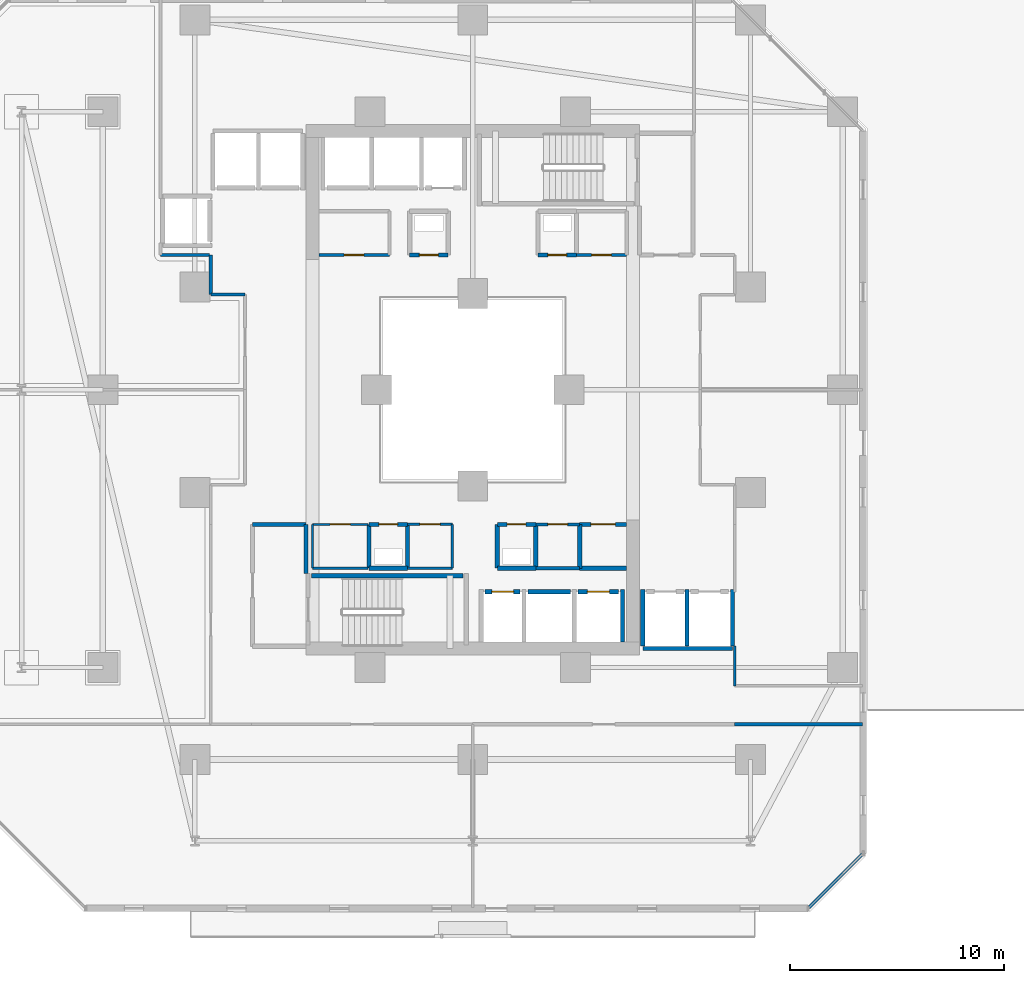
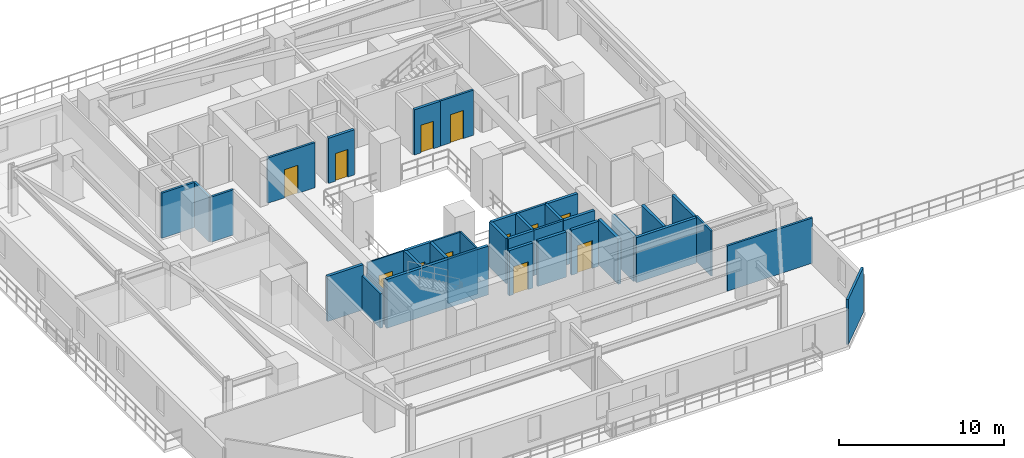
# One storey, part 19 of 34: 40 walls, 12 doors, 12 openings.
"""IFC4 building model written with IfcOpenShell, lengths in metres."""

import ifcopenshell
import ifcopenshell.guid

model = None  # the IFC model being written
_history = None  # IfcOwnerHistory: only IFC2X3 demands one
_inside = {}  # id of a spatial element -> (the spatial element, [elements in it])
_under = {}  # id of a project, library or spatial element -> (it, [spatial elements below it])
_declared = {}  # id of a project -> (the project, [libraries it declares])
_typed = {}  # id of a type object -> (the type object, [elements of that type])
_made_of = {}  # id of a material, layer set ... -> (it, [elements and type objects made of it])


def new_model(schema):
    """Start an empty IFC model of exactly this schema.

    Asked for "IFC4X3", IfcOpenShell would pick the latest addendum, in which some entities
    have other attributes; the version numbers below select the first issue.
    IFC2X3 requires an IfcOwnerHistory on every rooted entity: one is made here for all.
    """
    global model, _history
    if schema == "IFC4X3":
        model = ifcopenshell.file(schema_version=(4, 3, 0, 0))
    else:
        model = ifcopenshell.file(schema=schema)
    _inside.clear()
    _under.clear()
    _declared.clear()
    _typed.clear()
    _made_of.clear()
    _history = None
    if model.schema == "IFC2X3":
        org = make("IfcOrganization", Name="unknown")
        user = make(
            "IfcPersonAndOrganization",
            ThePerson=make("IfcPerson", FamilyName="unknown"),
            TheOrganization=org,
        )
        app = make(
            "IfcApplication",
            ApplicationDeveloper=org,
            Version="unknown",
            ApplicationFullName="unknown",
            ApplicationIdentifier="unknown",
        )
        _history = make(
            "IfcOwnerHistory",
            OwningUser=user,
            OwningApplication=app,
            ChangeAction="ADDED",
            CreationDate=0,
        )
    return model


def make(cls, **values):
    """One entity of the class cls with the attributes given. An attribute that is None is left unset."""
    return model.create_entity(
        cls, **{name: value for name, value in values.items() if value is not None}
    )


def rooted(cls, **values):
    """An entity with a GlobalId (a new one), such as an element, a storey or a relation."""
    return make(cls, GlobalId=ifcopenshell.guid.new(), OwnerHistory=_history, **values)


def si_unit(unit_type, name, prefix=None):
    """IfcSIUnit, for example si_unit("LENGTHUNIT", "METRE", prefix="MILLI")."""
    return make("IfcSIUnit", UnitType=unit_type, Prefix=prefix, Name=name)


def assignment(units):
    """IfcUnitAssignment: the units of a project."""
    return None if units is None else make("IfcUnitAssignment", Units=units)


def point(xyz):
    """IfcCartesianPoint."""
    return None if xyz is None else make("IfcCartesianPoint", Coordinates=xyz)


def direction(xyz):
    """IfcDirection."""
    return None if xyz is None else make("IfcDirection", DirectionRatios=xyz)


def frame(location, z_axis=None, x_axis=None):
    """IfcAxis2Placement3D, a coordinate frame: its origin and axes. An axis left out is left unset."""
    return make(
        "IfcAxis2Placement3D",
        Location=point(location),
        Axis=direction(z_axis),
        RefDirection=direction(x_axis),
    )


def frame_2d(location, x_axis=None):
    """IfcAxis2Placement2D, a coordinate frame in the plane: its origin and x axis."""
    return make(
        "IfcAxis2Placement2D", Location=point(location), RefDirection=direction(x_axis)
    )


def origin():
    """The frame at (0, 0, 0) with its axes left unset."""
    return frame((0.0, 0.0, 0.0))


def place(relative_to, where):
    """IfcLocalPlacement: puts the frame where relative to a parent placement (None: the world)."""
    return make(
        "IfcLocalPlacement", PlacementRelTo=relative_to, RelativePlacement=where
    )


def context(
    kind, dimensions, precision=None, world=None, true_north=None, identifier=None
):
    """IfcGeometricRepresentationContext, for example the 3D "Model" context."""
    return make(
        "IfcGeometricRepresentationContext",
        ContextIdentifier=identifier,
        ContextType=kind,
        CoordinateSpaceDimension=dimensions,
        Precision=precision,
        WorldCoordinateSystem=world,
        TrueNorth=true_north,
    )


def subcontext(parent, identifier, kind, view, scale=None):
    """IfcGeometricRepresentationSubContext, for example "Body" below "Model"."""
    return make(
        "IfcGeometricRepresentationSubContext",
        ContextIdentifier=identifier,
        ContextType=kind,
        ParentContext=parent,
        TargetScale=scale,
        TargetView=view,
    )


def project(units=None, contexts=None):
    """IfcProject with its units and contexts."""
    return rooted(
        "IfcProject",
        Name="project",
        RepresentationContexts=contexts,
        UnitsInContext=assignment(units),
    )


def spatial(cls, under=None, at=None, **own):
    """A site, building, storey or space (cls), placed at a placement, below another one or the project."""
    s = rooted(cls, ObjectPlacement=at, **own)
    if under is not None:
        _under.setdefault(under.id(), (under, []))[1].append(s)
    return s


def profile(cls, at=None, kind="AREA", **sizes):
    """A parametric profile (cls). Its sizes go by their IFC names, for example OverallWidth=200.0."""
    return make(cls, ProfileType=kind, Position=at, **sizes)


def rectangle(**sizes):
    """IfcRectangleProfileDef."""
    return profile("IfcRectangleProfileDef", **sizes)


def extrude(swept, where, along, depth):
    """IfcExtrudedAreaSolid: the profile swept, set in the frame where, extruded along a direction by depth."""
    return make(
        "IfcExtrudedAreaSolid",
        SweptArea=swept,
        Position=where,
        ExtrudedDirection=direction(along),
        Depth=depth,
    )


def shape(context_of_items, identifier, shape_type, items):
    """IfcShapeRepresentation: the items that make up one representation, for example the "Body"."""
    return make(
        "IfcShapeRepresentation",
        ContextOfItems=context_of_items,
        RepresentationIdentifier=identifier,
        RepresentationType=shape_type,
        Items=items,
    )


def material(Name=None, Category=None):
    """IfcMaterial."""
    return make("IfcMaterial", Name=Name, Category=Category)


def layer(
    of_material, thickness, ventilated=None, Name=None, Category=None, Priority=None
):
    """IfcMaterialLayer: one layer of a wall or slab, of a material (None: an air gap)."""
    return make(
        "IfcMaterialLayer",
        Material=of_material,
        LayerThickness=thickness,
        IsVentilated=ventilated,
        Name=Name,
        Category=Category,
        Priority=Priority,
    )


def layer_set(layers, Name=None):
    """IfcMaterialLayerSet."""
    return make("IfcMaterialLayerSet", MaterialLayers=layers, LayerSetName=Name)


def made_of(thing, what):
    """Note that an element or type object is made of a material, layer set ...; save() writes the relation."""
    if what is not None:
        _made_of.setdefault(what.id(), (what, []))[1].append(thing)
    return thing


def type_object(cls, material=None, **own):
    """A type object (cls), such as IfcWallType, which elements share."""
    return made_of(rooted(cls, **own), material)


def element(
    cls,
    number,
    at=None,
    inside=None,
    cuts=None,
    type_object=None,
    material=None,
    context=None,
    identifier="Body",
    shape_type=None,
    held_by="IfcProductDefinitionShape",
    body=None,
    shapes=None,
    **own,
):
    """One element of the class cls, such as IfcWall. Its Tag is "e" and its number.

    at: its placement. inside: the storey or other place that contains it. cuts: it is an
    opening in that element (IfcRelVoidsElement). A single representation is given by context,
    identifier, shape_type and body (its items); several are given by shapes. held_by: the class
    of the entity that holds the representations. save() writes the other relations.
    """
    e = rooted(cls, Tag="e%d" % number, ObjectPlacement=at, **own)
    if body is not None:
        shapes = [shape(context, identifier, shape_type, body)]
    if shapes is not None:
        e.Representation = make(held_by, Representations=shapes)
    if inside is not None:
        _inside.setdefault(inside.id(), (inside, []))[1].append(e)
    if cuts is not None:
        rooted(
            "IfcRelVoidsElement", RelatingBuildingElement=cuts, RelatedOpeningElement=e
        )
    if type_object is not None:
        _typed.setdefault(type_object.id(), (type_object, []))[1].append(e)
    return made_of(e, material)


def fill(opening, filler):
    """IfcRelFillsElement: the door or window that sits in an opening."""
    return rooted(
        "IfcRelFillsElement",
        RelatingOpeningElement=opening,
        RelatedBuildingElement=filler,
    )


def aggregate(whole, parts):
    """IfcRelAggregates: a whole, such as a stair, and the parts it consists of."""
    return rooted("IfcRelAggregates", RelatingObject=whole, RelatedObjects=parts)


def save(model, path):
    """Write the relations noted so far, then the file.

    IfcRelAggregates (storeys below a building ...), IfcRelContainedInSpatialStructure (elements
    in a storey), IfcRelDefinesByType, IfcRelAssociatesMaterial and IfcRelDeclares: one each for
    every whole, place, type object, material and project.
    """
    for whole, parts in _under.values():
        aggregate(whole, parts)
    for where, things in _inside.values():
        rooted(
            "IfcRelContainedInSpatialStructure",
            RelatedElements=things,
            RelatingStructure=where,
        )
    for kind, things in _typed.values():
        rooted("IfcRelDefinesByType", RelatedObjects=things, RelatingType=kind)
    for what, things in _made_of.values():
        rooted("IfcRelAssociatesMaterial", RelatedObjects=things, RelatingMaterial=what)
    for by, libraries in _declared.values():
        rooted("IfcRelDeclares", RelatingContext=by, RelatedDefinitions=libraries)
    model.write(path)


model = new_model("IFC4")

# Units and contexts
model_context = context("Model", 3, precision=1e-05, world=origin(), true_north=direction((0.0, 1.0)))
body_context = subcontext(model_context, "Body", "Model", "MODEL_VIEW")
ifc_project = project(units=[si_unit("LENGTHUNIT", "METRE"), si_unit("AREAUNIT", "SQUARE_METRE"), si_unit("VOLUMEUNIT", "CUBIC_METRE"), si_unit("PLANEANGLEUNIT", "RADIAN"), si_unit("MASSUNIT", "GRAM", prefix="KILO")], contexts=[model_context])

# Site, building, storey
site_placement = place(None, origin())
site = spatial("IfcSite", under=ifc_project, at=site_placement, CompositionType="ELEMENT")
building_placement = place(site_placement, origin())
building = spatial("IfcBuilding", under=site, at=building_placement, Name="Thornwick Lancets Civic Towers", CompositionType="ELEMENT")
storey_placement = place(building_placement, frame((0.0, 0.0, 27.89990234375)))
storey = spatial("IfcBuildingStorey", under=building, at=storey_placement, Name="L06", CompositionType="ELEMENT", Elevation=27.89990234375)

# Wall, opening, door
ifc_material_1 = material(Name="Concrete blockwork C40/50", Category="masonry")
ifc_layer_1 = layer(ifc_material_1, 0.199951171875, Name="Concrete blockwork C40/50")
ifc_layer_set_1 = layer_set([ifc_layer_1], Name="Concrete blockwork C40/50")
wall_type_1 = type_object("IfcWallType", Name="WALL_COMP_200", PredefinedType="STANDARD", material=ifc_layer_set_1)
wall_1_placement = place(storey_placement, frame((26.080078125, 17.550048828125, 0.0), z_axis=(0.0, 0.0, 1.0), x_axis=(1.0, 0.0, 0.0)))
wall_1 = element("IfcWall", 1, at=wall_1_placement, inside=storey, type_object=wall_type_1, Name="L06 Hoistway Front Wall FL-A1", PredefinedType="STANDARD", context=body_context, shape_type="SweptSolid", body=[
    extrude(rectangle(XDim=1.639892578125, YDim=0.199951171875, at=frame_2d((0.81982421875, 0.0))), origin(), (0.0, 0.0, 1.0), 3.340087890625),
])
opening_1_placement = place(wall_1_placement, frame((0.31005859375, 0.0, 0.0)))
opening_1 = element("IfcOpeningElement", 2, at=opening_1_placement, cuts=wall_1, Name="Opening LD-FL-A1", PredefinedType="OPENING", context=body_context, shape_type="SweptSolid", body=[
    extrude(rectangle(XDim=1.02001953125, YDim=2.06005859375, at=frame_2d((0.510009765625, 1.030029296875))), frame((0.0, 0.10986328125, 0.0), z_axis=(0.0, -1.0, 0.0), x_axis=(1.0, 0.0, 0.0)), (0.0, 0.0, 1.0), 0.219970703125),
])
ifc_material_2 = material(Name="Brushed bronze stainless steel", Category="steel")
door_type_1 = type_object("IfcDoorType", Name="DOOR_LIFT_SLIDE", OperationType="SLIDING_TO_LEFT", PredefinedType="DOOR", material=ifc_material_2)
door_1_placement = place(opening_1_placement, origin())
door_1 = element("IfcDoor", 3, at=door_1_placement, inside=storey, type_object=door_type_1, Name="L06 Sliding Lift Landing Door LD-FL-A1", OperationType="SLIDING_TO_LEFT", OverallHeight=2.06005859375, OverallWidth=1.02001953125, PredefinedType="DOOR", context=body_context, shape_type="SweptSolid", body=[
    extrude(rectangle(XDim=1.02001953125, YDim=2.06005859375, at=frame_2d((0.510009765625, 1.030029296875))), frame((0.0, 0.02490234375, 0.0), z_axis=(0.0, -1.0, 0.0), x_axis=(1.0, 0.0, 0.0)), (0.0, 0.0, 1.0), 0.050048828125),
])
fill(opening_1, door_1)

# Wall
wall_2_placement = place(storey_placement, frame((28.080078125, 17.550048828125, 0.0), z_axis=(0.0, 0.0, 1.0), x_axis=(1.0, 0.0, 0.0)))
element("IfcWall", 4, at=wall_2_placement, inside=storey, type_object=wall_type_1, Name="L06 Hoistway Front Wall PL-AH1", PredefinedType="STANDARD", context=body_context, shape_type="SweptSolid", body=[
    extrude(rectangle(XDim=1.989990234375, YDim=0.199951171875, at=frame_2d((0.9951171875, 0.0))), origin(), (0.0, 0.0, 1.0), 3.340087890625),
])

# Wall, opening, door
wall_3_placement = place(storey_placement, frame((30.429931640625, 17.550048828125, 0.0), z_axis=(0.0, 0.0, 1.0), x_axis=(1.0, 0.0, 0.0)))
wall_3 = element("IfcWall", 5, at=wall_3_placement, inside=storey, type_object=wall_type_1, Name="L06 Hoistway Front Wall PL-AL1", PredefinedType="STANDARD", context=body_context, shape_type="SweptSolid", body=[
    extrude(rectangle(XDim=1.89013671875, YDim=0.199951171875, at=frame_2d((0.945068359375, 0.0))), origin(), (0.0, 0.0, 1.0), 3.340087890625),
])
opening_2_placement = place(wall_3_placement, frame((0.43505859375, 0.0, 0.0)))
opening_2 = element("IfcOpeningElement", 6, at=opening_2_placement, cuts=wall_3, Name="Opening LD-PL-AL1", PredefinedType="OPENING", context=body_context, shape_type="SweptSolid", body=[
    extrude(rectangle(XDim=1.02001953125, YDim=2.06005859375, at=frame_2d((0.510009765625, 1.030029296875))), frame((0.0, 0.10986328125, 0.0), z_axis=(0.0, -1.0, 0.0), x_axis=(1.0, 0.0, 0.0)), (0.0, 0.0, 1.0), 0.219970703125),
])
door_2_placement = place(opening_2_placement, origin())
door_2 = element("IfcDoor", 7, at=door_2_placement, inside=storey, type_object=door_type_1, Name="L06 Sliding Lift Landing Door LD-PL-AL1", OperationType="SLIDING_TO_LEFT", OverallHeight=2.06005859375, OverallWidth=1.02001953125, PredefinedType="DOOR", context=body_context, shape_type="SweptSolid", body=[
    extrude(rectangle(XDim=1.02001953125, YDim=2.06005859375, at=frame_2d((0.510009765625, 1.030029296875))), frame((0.0, 0.02490234375, 0.0), z_axis=(0.0, -1.0, 0.0), x_axis=(1.0, 0.0, 0.0)), (0.0, 0.0, 1.0), 0.050048828125),
])
fill(opening_2, door_2)

# Walls
wall_4_placement = place(storey_placement, frame((32.5, 15.2119140625, 0.0), z_axis=(0.0, 0.0, 1.0), x_axis=(0.0, 1.0, 0.0)))
element("IfcWall", 8, at=wall_4_placement, inside=storey, type_object=wall_type_1, Name="L06 Hoistway Shaft Wall PL-AL1 E", PredefinedType="STANDARD", context=body_context, shape_type="SweptSolid", body=[
    extrude(rectangle(XDim=2.43603515625, YDim=0.199951171875, at=frame_2d((1.218017578125, 0.0))), origin(), (0.0, 0.0, 1.0), 3.340087890625),
])
wall_5_placement = place(storey_placement, frame((33.451904296875, 14.89990234375, 0.0), z_axis=(0.0, 0.0, 1.0), x_axis=(1.0, 0.0, 0.0)))
element("IfcWall", 9, at=wall_5_placement, inside=storey, type_object=wall_type_1, Name="L06 Hoistway Shaft Wall PL-AL2 S", PredefinedType="STANDARD", context=body_context, shape_type="SweptSolid", body=[
    extrude(rectangle(XDim=4.196044921875, YDim=0.199951171875, at=frame_2d((2.09814453125, 0.0))), origin(), (0.0, 0.0, 1.0), 3.340087890625),
])
for number, where, z_axis, x_axis, name in (
    (10, (35.52490234375, 15.011962890625, 0.0), (0.0, 0.0, 1.0), (0.0, 1.0, 0.0), "L06 Hoistway Shaft Wall PL-AL2 E"),
    (11, (33.449951171875, 15.011962890625, 0.0), (0.0, 0.0, 1.0), (0.0, 1.0, 0.0), "L06 Hoistway Shaft Wall PL-AL2 W"),
    (12, (37.64990234375, 15.011962890625, 0.0), (0.0, 0.0, 1.0), (0.0, 1.0, 0.0), "L06 Hoistway Shaft Wall PL-AL3 E"),
):
    element("IfcWall", number, at=place(storey_placement, frame(where, z_axis=z_axis, x_axis=x_axis)), inside=storey, type_object=wall_type_1, Name=name, PredefinedType="STANDARD", context=body_context, shape_type="SweptSolid", body=[
        extrude(rectangle(XDim=2.635986328125, YDim=0.199951171875, at=frame_2d((1.31787109375, 0.0))), origin(), (0.0, 0.0, 1.0), 3.340087890625),
    ])
wall_6_placement = place(storey_placement, frame((17.699951171875, 18.39990234375, 0.0), z_axis=(0.0, 0.0, 1.0), x_axis=(0.0, 1.0, 0.0)))
element("IfcWall", 13, at=wall_6_placement, inside=storey, type_object=wall_type_1, Name="L06 Partition L06-A-FFLOB1 E2", PredefinedType="STANDARD", context=body_context, shape_type="SweptSolid", body=[
    extrude(rectangle(XDim=2.300048828125, YDim=0.199951171875, at=frame_2d((1.14990234375, 0.0))), origin(), (0.0, 0.0, 1.0), 2.545166015625),
])
wall_7_placement = place(storey_placement, frame((17.699951171875, 20.699951171875, 0.0), z_axis=(0.0, 0.0, 1.0), x_axis=(-1.0, 0.0, 0.0)))
element("IfcWall", 14, at=wall_7_placement, inside=storey, type_object=wall_type_1, Name="L06 Partition L06-A-FFLOB1 E3", PredefinedType="STANDARD", context=body_context, shape_type="SweptSolid", body=[
    extrude(rectangle(XDim=2.5, YDim=0.199951171875, at=frame_2d((1.25, 0.0))), origin(), (0.0, 0.0, 1.0), 3.340087890625),
])
wall_8_placement = place(storey_placement, frame((26.64990234375, 18.64990234375, 0.0), z_axis=(0.0, 0.0, 1.0), x_axis=(1.0, 0.0, 0.0)))
element("IfcWall", 15, at=wall_8_placement, inside=storey, type_object=wall_type_1, Name="L06 Partition L06-A-DUCT1 E1", PredefinedType="STANDARD", context=body_context, shape_type="SweptSolid", body=[
    extrude(rectangle(XDim=1.800048828125, YDim=0.199951171875, at=frame_2d((0.89990234375, 0.0))), origin(), (0.0, 0.0, 1.0), 3.340087890625),
])
wall_9_placement = place(storey_placement, frame((28.449951171875, 18.64990234375, 0.0), z_axis=(0.0, 0.0, 1.0), x_axis=(0.0, 1.0, 0.0)))
element("IfcWall", 16, at=wall_9_placement, inside=storey, type_object=wall_type_1, Name="L06 Partition L06-A-DUCT1 E2", PredefinedType="STANDARD", context=body_context, shape_type="SweptSolid", body=[
    extrude(rectangle(XDim=2.050048828125, YDim=0.199951171875, at=frame_2d((1.02490234375, 0.0))), origin(), (0.0, 0.0, 1.0), 3.340087890625),
])

# Wall, opening, door
wall_10_placement = place(storey_placement, frame((28.449951171875, 20.699951171875, 0.0), z_axis=(0.0, 0.0, 1.0), x_axis=(-1.0, 0.0, 0.0)))
wall_10 = element("IfcWall", 17, at=wall_10_placement, inside=storey, type_object=wall_type_1, Name="L06 Partition L06-A-DUCT1 E3", PredefinedType="STANDARD", context=body_context, shape_type="SweptSolid", body=[
    extrude(rectangle(XDim=1.800048828125, YDim=0.199951171875, at=frame_2d((0.89990234375, 0.0))), origin(), (0.0, 0.0, 1.0), 3.340087890625),
])
opening_3_placement = place(wall_10_placement, frame((0.4599609375, 0.0, 0.0)))
opening_3 = element("IfcOpeningElement", 18, at=opening_3_placement, cuts=wall_10, Name="Opening D-L06-0323", PredefinedType="OPENING", context=body_context, shape_type="SweptSolid", body=[
    extrude(rectangle(XDim=0.8798828125, YDim=2.0400390625, at=frame_2d((0.43994140625, 1.02001953125))), frame((0.0, 0.10986328125, 0.0), z_axis=(0.0, -1.0, 0.0), x_axis=(1.0, 0.0, 0.0)), (0.0, 0.0, 1.0), 0.219970703125),
])
ifc_material_3 = material(Name="Steel riser access doorset", Category="steel")
door_type_2 = type_object("IfcDoorType", Name="DOOR_RISER_850", OperationType="NOTDEFINED", PredefinedType="DOOR", material=ifc_material_3)
door_3_placement = place(opening_3_placement, origin())
door_3 = element("IfcDoor", 19, at=door_3_placement, inside=storey, type_object=door_type_2, Name="L06 South Service Duct 1 Door", OperationType="SINGLE_SWING_RIGHT", OverallHeight=2.0400390625, OverallWidth=0.8798828125, PredefinedType="DOOR", context=body_context, shape_type="SweptSolid", body=[
    extrude(rectangle(XDim=0.8798828125, YDim=2.0400390625, at=frame_2d((0.43994140625, 1.02001953125))), frame((0.0, 0.02490234375, 0.0), z_axis=(0.0, -1.0, 0.0), x_axis=(1.0, 0.0, 0.0)), (0.0, 0.0, 1.0), 0.050048828125),
])
fill(opening_3, door_3)

# Walls
wall_11_placement = place(storey_placement, frame((26.64990234375, 20.699951171875, 0.0), z_axis=(0.0, 0.0, 1.0), x_axis=(0.0, -1.0, 0.0)))
element("IfcWall", 20, at=wall_11_placement, inside=storey, type_object=wall_type_1, Name="L06 Partition L06-A-DUCT1 E4", PredefinedType="STANDARD", context=body_context, shape_type="SweptSolid", body=[
    extrude(rectangle(XDim=2.050048828125, YDim=0.199951171875, at=frame_2d((1.02490234375, 0.0))), origin(), (0.0, 0.0, 1.0), 3.340087890625),
])
wall_12_placement = place(storey_placement, frame((20.64990234375, 18.64990234375, 0.0), z_axis=(0.0, 0.0, 1.0), x_axis=(1.0, 0.0, 0.0)))
element("IfcWall", 21, at=wall_12_placement, inside=storey, type_object=wall_type_1, Name="L06 Partition L06-A-RISER1 E1", PredefinedType="STANDARD", context=body_context, shape_type="SweptSolid", body=[
    extrude(rectangle(XDim=1.800048828125, YDim=0.199951171875, at=frame_2d((0.89990234375, 0.0))), origin(), (0.0, 0.0, 1.0), 3.340087890625),
])
wall_13_placement = place(storey_placement, frame((22.449951171875, 18.64990234375, 0.0), z_axis=(0.0, 0.0, 1.0), x_axis=(0.0, 1.0, 0.0)))
element("IfcWall", 22, at=wall_13_placement, inside=storey, type_object=wall_type_1, Name="L06 Partition L06-A-RISER1 E2", PredefinedType="STANDARD", context=body_context, shape_type="SweptSolid", body=[
    extrude(rectangle(XDim=2.050048828125, YDim=0.199951171875, at=frame_2d((1.02490234375, 0.0))), origin(), (0.0, 0.0, 1.0), 3.340087890625),
])

# Wall, opening, door
wall_14_placement = place(storey_placement, frame((22.449951171875, 20.699951171875, 0.0), z_axis=(0.0, 0.0, 1.0), x_axis=(-1.0, 0.0, 0.0)))
wall_14 = element("IfcWall", 23, at=wall_14_placement, inside=storey, type_object=wall_type_1, Name="L06 Partition L06-A-RISER1 E3", PredefinedType="STANDARD", context=body_context, shape_type="SweptSolid", body=[
    extrude(rectangle(XDim=1.800048828125, YDim=0.199951171875, at=frame_2d((0.89990234375, 0.0))), origin(), (0.0, 0.0, 1.0), 3.340087890625),
])
opening_4_placement = place(wall_14_placement, frame((0.4599609375, 0.0, 0.0)))
opening_4 = element("IfcOpeningElement", 24, at=opening_4_placement, cuts=wall_14, Name="Opening D-L06-0324", PredefinedType="OPENING", context=body_context, shape_type="SweptSolid", body=[
    extrude(rectangle(XDim=0.8798828125, YDim=2.0400390625, at=frame_2d((0.43994140625, 1.02001953125))), frame((0.0, 0.10986328125, 0.0), z_axis=(0.0, -1.0, 0.0), x_axis=(1.0, 0.0, 0.0)), (0.0, 0.0, 1.0), 0.219970703125),
])
door_4_placement = place(opening_4_placement, origin())
door_4 = element("IfcDoor", 25, at=door_4_placement, inside=storey, type_object=door_type_2, Name="L06 South Electrical Riser 1 Door", OperationType="SINGLE_SWING_LEFT", OverallHeight=2.0400390625, OverallWidth=0.8798828125, PredefinedType="DOOR", context=body_context, shape_type="SweptSolid", body=[
    extrude(rectangle(XDim=0.8798828125, YDim=2.0400390625, at=frame_2d((0.43994140625, 1.02001953125))), frame((0.0, 0.02490234375, 0.0), z_axis=(0.0, -1.0, 0.0), x_axis=(1.0, 0.0, 0.0)), (0.0, 0.0, 1.0), 0.050048828125),
])
fill(opening_4, door_4)

# Wall
wall_15_placement = place(storey_placement, frame((20.64990234375, 20.699951171875, 0.0), z_axis=(0.0, 0.0, 1.0), x_axis=(0.0, -1.0, 0.0)))
element("IfcWall", 26, at=wall_15_placement, inside=storey, type_object=wall_type_1, Name="L06 Partition L06-A-RISER1 E4", PredefinedType="STANDARD", context=body_context, shape_type="SweptSolid", body=[
    extrude(rectangle(XDim=2.050048828125, YDim=0.199951171875, at=frame_2d((1.02490234375, 0.0))), origin(), (0.0, 0.0, 1.0), 3.340087890625),
])

# Wall, opening, door
wall_16_placement = place(storey_placement, frame((22.550048828125, 33.300048828125, 0.0), z_axis=(0.0, 0.0, 1.0), x_axis=(1.0, 0.0, 0.0)))
wall_16 = element("IfcWall", 27, at=wall_16_placement, inside=storey, type_object=wall_type_1, Name="L06 Partition L06-A-DUCT2 E1", PredefinedType="STANDARD", context=body_context, shape_type="SweptSolid", body=[
    extrude(rectangle(XDim=1.800048828125, YDim=0.199951171875, at=frame_2d((0.89990234375, 0.0))), origin(), (0.0, 0.0, 1.0), 3.340087890625),
])
opening_5_placement = place(wall_16_placement, frame((0.4599609375, 0.0, 0.0)))
opening_5 = element("IfcOpeningElement", 28, at=opening_5_placement, cuts=wall_16, Name="Opening D-L06-0325", PredefinedType="OPENING", context=body_context, shape_type="SweptSolid", body=[
    extrude(rectangle(XDim=0.8798828125, YDim=2.0400390625, at=frame_2d((0.43994140625, 1.02001953125))), frame((0.0, 0.10986328125, 0.0), z_axis=(0.0, -1.0, 0.0), x_axis=(1.0, 0.0, 0.0)), (0.0, 0.0, 1.0), 0.219970703125),
])
door_5_placement = place(opening_5_placement, origin())
door_5 = element("IfcDoor", 29, at=door_5_placement, inside=storey, type_object=door_type_2, Name="L06 North Service Duct 2 Door", OperationType="SINGLE_SWING_RIGHT", OverallHeight=2.0400390625, OverallWidth=0.8798828125, PredefinedType="DOOR", context=body_context, shape_type="SweptSolid", body=[
    extrude(rectangle(XDim=0.8798828125, YDim=2.0400390625, at=frame_2d((0.43994140625, 1.02001953125))), frame((0.0, 0.02490234375, 0.0), z_axis=(0.0, -1.0, 0.0), x_axis=(1.0, 0.0, 0.0)), (0.0, 0.0, 1.0), 0.050048828125),
])
fill(opening_5, door_5)

wall_17_placement = place(storey_placement, frame((28.550048828125, 33.300048828125, 0.0), z_axis=(0.0, 0.0, 1.0), x_axis=(1.0, 0.0, 0.0)))
wall_17 = element("IfcWall", 30, at=wall_17_placement, inside=storey, type_object=wall_type_1, Name="L06 Partition L06-A-RISER2 E1", PredefinedType="STANDARD", context=body_context, shape_type="SweptSolid", body=[
    extrude(rectangle(XDim=1.800048828125, YDim=0.199951171875, at=frame_2d((0.89990234375, 0.0))), origin(), (0.0, 0.0, 1.0), 3.340087890625),
])
opening_6_placement = place(wall_17_placement, frame((0.4599609375, 0.0, 0.0)))
opening_6 = element("IfcOpeningElement", 31, at=opening_6_placement, cuts=wall_17, Name="Opening D-L06-0326", PredefinedType="OPENING", context=body_context, shape_type="SweptSolid", body=[
    extrude(rectangle(XDim=0.8798828125, YDim=2.0400390625, at=frame_2d((0.43994140625, 1.02001953125))), frame((0.0, 0.10986328125, 0.0), z_axis=(0.0, -1.0, 0.0), x_axis=(1.0, 0.0, 0.0)), (0.0, 0.0, 1.0), 0.219970703125),
])
door_6_placement = place(opening_6_placement, origin())
door_6 = element("IfcDoor", 32, at=door_6_placement, inside=storey, type_object=door_type_2, Name="L06 North Service Riser 2 Door", OperationType="SINGLE_SWING_LEFT", OverallHeight=2.0400390625, OverallWidth=0.8798828125, PredefinedType="DOOR", context=body_context, shape_type="SweptSolid", body=[
    extrude(rectangle(XDim=0.8798828125, YDim=2.0400390625, at=frame_2d((0.43994140625, 1.02001953125))), frame((0.0, 0.02490234375, 0.0), z_axis=(0.0, -1.0, 0.0), x_axis=(1.0, 0.0, 0.0)), (0.0, 0.0, 1.0), 0.050048828125),
])
fill(opening_6, door_6)

# Walls
wall_18_placement = place(storey_placement, frame((32.699951171875, 18.64990234375, 0.0), z_axis=(0.0, 0.0, 1.0), x_axis=(-1.0, 0.0, 0.0)))
element("IfcWall", 33, at=wall_18_placement, inside=storey, type_object=wall_type_1, Name="L06 Partition L06-A-STR2 E2", PredefinedType="STANDARD", context=body_context, shape_type="SweptSolid", body=[
    extrude(rectangle(XDim=2.199951171875, YDim=0.199951171875, at=frame_2d((1.10009765625, 0.0))), origin(), (0.0, 0.0, 1.0), 3.340087890625),
])
wall_19_placement = place(storey_placement, frame((30.5, 18.64990234375, 0.0), z_axis=(0.0, 0.0, 1.0), x_axis=(0.0, 1.0, 0.0)))
element("IfcWall", 34, at=wall_19_placement, inside=storey, type_object=wall_type_1, Name="L06 Partition L06-A-STR2 E3", PredefinedType="STANDARD", context=body_context, shape_type="SweptSolid", body=[
    extrude(rectangle(XDim=2.050048828125, YDim=0.199951171875, at=frame_2d((1.02490234375, 0.0))), origin(), (0.0, 0.0, 1.0), 3.340087890625),
])

# Wall, opening, door
wall_20_placement = place(storey_placement, frame((30.5, 20.699951171875, 0.0), z_axis=(0.0, 0.0, 1.0), x_axis=(1.0, 0.0, 0.0)))
wall_20 = element("IfcWall", 35, at=wall_20_placement, inside=storey, type_object=wall_type_1, Name="L06 Partition L06-A-STR2 E4", PredefinedType="STANDARD", context=body_context, shape_type="SweptSolid", body=[
    extrude(rectangle(XDim=2.199951171875, YDim=0.199951171875, at=frame_2d((1.10009765625, 0.0))), origin(), (0.0, 0.0, 1.0), 3.340087890625),
])
opening_7_placement = place(wall_20_placement, frame((0.52490234375, 0.0, 0.0)))
opening_7 = element("IfcOpeningElement", 36, at=opening_7_placement, cuts=wall_20, Name="Opening D-L06-0330", PredefinedType="OPENING", context=body_context, shape_type="SweptSolid", body=[
    extrude(rectangle(XDim=1.14990234375, YDim=2.10009765625, at=frame_2d((0.574951171875, 1.050048828125))), frame((0.0, 0.10986328125, 0.0), z_axis=(0.0, -1.0, 0.0), x_axis=(1.0, 0.0, 0.0)), (0.0, 0.0, 1.0), 0.219970703125),
])
ifc_material_4 = material(Name="Glazed fire-resisting steel", Category="steel")
door_type_3 = type_object("IfcDoorType", Name="DOOR_LOBBY_FD60", OperationType="NOTDEFINED", PredefinedType="DOOR", material=ifc_material_4)
door_7_placement = place(opening_7_placement, origin())
door_7 = element("IfcDoor", 37, at=door_7_placement, inside=storey, type_object=door_type_3, Name="L06 Tower A Core Supplies Store Door", OperationType="SINGLE_SWING_LEFT", OverallHeight=2.10009765625, OverallWidth=1.14990234375, PredefinedType="DOOR", context=body_context, shape_type="SweptSolid", body=[
    extrude(rectangle(XDim=1.14990234375, YDim=2.10009765625, at=frame_2d((0.574951171875, 1.050048828125))), frame((0.0, 0.02490234375, 0.0), z_axis=(0.0, -1.0, 0.0), x_axis=(1.0, 0.0, 0.0)), (0.0, 0.0, 1.0), 0.050048828125),
])
fill(opening_7, door_7)

# Wall
ifc_material_5 = material(Name="Lightweight cellular office partition")
ifc_layer_2 = layer(ifc_material_5, 0.10009765625, Name="Lightweight cellular office partition")
ifc_layer_set_2 = layer_set([ifc_layer_2], Name="Lightweight cellular office partition")
wall_type_2 = type_object("IfcWallType", Name="WALL_PART_100", PredefinedType="PARTITIONING", material=ifc_layer_set_2)
wall_21_placement = place(storey_placement, frame((18.0, 18.64990234375, 0.0), z_axis=(0.0, 0.0, 1.0), x_axis=(1.0, 0.0, 0.0)))
element("IfcWall", 38, at=wall_21_placement, inside=storey, type_object=wall_type_2, Name="L06 Partition L06-A-CLN E1", PredefinedType="PARTITIONING", context=body_context, shape_type="SweptSolid", body=[
    extrude(rectangle(XDim=2.60009765625, YDim=0.10009765625, at=frame_2d((1.300048828125, 0.0))), origin(), (0.0, 0.0, 1.0), 3.340087890625),
])

# Wall, opening, door
wall_22_placement = place(storey_placement, frame((20.60009765625, 20.699951171875, 0.0), z_axis=(0.0, 0.0, 1.0), x_axis=(-1.0, 0.0, 0.0)))
wall_22 = element("IfcWall", 39, at=wall_22_placement, inside=storey, type_object=wall_type_2, Name="L06 Partition L06-A-CLN E3", PredefinedType="PARTITIONING", context=body_context, shape_type="SweptSolid", body=[
    extrude(rectangle(XDim=2.60009765625, YDim=0.10009765625, at=frame_2d((1.300048828125, 0.0))), origin(), (0.0, 0.0, 1.0), 3.340087890625),
])
opening_8_placement = place(wall_22_placement, frame((0.824951171875, 0.0, 0.0)))
opening_8 = element("IfcOpeningElement", 40, at=opening_8_placement, cuts=wall_22, Name="Opening D-L06-0327", PredefinedType="OPENING", context=body_context, shape_type="SweptSolid", body=[
    extrude(rectangle(XDim=0.949951171875, YDim=2.10009765625, at=frame_2d((0.47509765625, 1.050048828125))), frame((0.0, 0.06005859375, 0.0), z_axis=(0.0, -1.0, 0.0), x_axis=(1.0, 0.0, 0.0)), (0.0, 0.0, 1.0), 0.1201171875),
])
ifc_material_6 = material(Name="European oak acoustic doorset")
door_type_4 = type_object("IfcDoorType", Name="DOOR_OFFICE_950", OperationType="NOTDEFINED", PredefinedType="DOOR", material=ifc_material_6)
door_8_placement = place(opening_8_placement, origin())
door_8 = element("IfcDoor", 41, at=door_8_placement, inside=storey, type_object=door_type_4, Name="L06 Tower A Cleaners Store Door", OperationType="SINGLE_SWING_RIGHT", OverallHeight=2.10009765625, OverallWidth=0.949951171875, PredefinedType="DOOR", context=body_context, shape_type="SweptSolid", body=[
    extrude(rectangle(XDim=0.949951171875, YDim=2.10009765625, at=frame_2d((0.47509765625, 1.050048828125))), frame((0.0, 0.02490234375, 0.0), z_axis=(0.0, -1.0, 0.0), x_axis=(1.0, 0.0, 0.0)), (0.0, 0.0, 1.0), 0.050048828125),
])
fill(opening_8, door_8)

# Walls
wall_23_placement = place(storey_placement, frame((18.0, 20.699951171875, 0.0), z_axis=(0.0, 0.0, 1.0), x_axis=(0.0, -1.0, 0.0)))
element("IfcWall", 42, at=wall_23_placement, inside=storey, type_object=wall_type_2, Name="L06 Partition L06-A-CLN E4", PredefinedType="PARTITIONING", context=body_context, shape_type="SweptSolid", body=[
    extrude(rectangle(XDim=2.050048828125, YDim=0.10009765625, at=frame_2d((1.02490234375, 0.0))), origin(), (0.0, 0.0, 1.0), 2.545166015625),
])
ifc_material_7 = material(Name="Acoustic gypsum board partition")
ifc_layer_3 = layer(ifc_material_7, 0.1201171875, Name="Acoustic gypsum board partition")
ifc_layer_set_3 = layer_set([ifc_layer_3], Name="Acoustic gypsum board partition")
wall_type_3 = type_object("IfcWallType", Name="WALL_PART_120", PredefinedType="PARTITIONING", material=ifc_layer_set_3)
wall_24_placement = place(storey_placement, frame((24.550048828125, 20.699951171875, 0.0), z_axis=(0.0, 0.0, 1.0), x_axis=(0.0, -1.0, 0.0)))
element("IfcWall", 43, at=wall_24_placement, inside=storey, type_object=wall_type_3, Name="L06 Partition L06-A-ITR E1", PredefinedType="PARTITIONING", context=body_context, shape_type="SweptSolid", body=[
    extrude(rectangle(XDim=2.050048828125, YDim=0.1201171875, at=frame_2d((1.02490234375, 0.0))), origin(), (0.0, 0.0, 1.0), 3.340087890625),
])
wall_25_placement = place(storey_placement, frame((24.550048828125, 18.64990234375, 0.0), z_axis=(0.0, 0.0, 1.0), x_axis=(-1.0, 0.0, 0.0)))
element("IfcWall", 44, at=wall_25_placement, inside=storey, type_object=wall_type_3, Name="L06 Partition L06-A-ITR E2", PredefinedType="PARTITIONING", context=body_context, shape_type="SweptSolid", body=[
    extrude(rectangle(XDim=2.10009765625, YDim=0.1201171875, at=frame_2d((1.050048828125, 0.0))), origin(), (0.0, 0.0, 1.0), 3.340087890625),
])

# Wall, opening, door
wall_26_placement = place(storey_placement, frame((22.449951171875, 20.699951171875, 0.0), z_axis=(0.0, 0.0, 1.0), x_axis=(1.0, 0.0, 0.0)))
wall_26 = element("IfcWall", 45, at=wall_26_placement, inside=storey, type_object=wall_type_3, Name="L06 Partition L06-A-ITR E4", PredefinedType="PARTITIONING", context=body_context, shape_type="SweptSolid", body=[
    extrude(rectangle(XDim=2.10009765625, YDim=0.1201171875, at=frame_2d((1.050048828125, 0.0))), origin(), (0.0, 0.0, 1.0), 3.340087890625),
])
opening_9_placement = place(wall_26_placement, frame((0.574951171875, 0.0, 0.0)))
opening_9 = element("IfcOpeningElement", 46, at=opening_9_placement, cuts=wall_26, Name="Opening D-L06-0328", PredefinedType="OPENING", context=body_context, shape_type="SweptSolid", body=[
    extrude(rectangle(XDim=0.949951171875, YDim=2.10009765625, at=frame_2d((0.47509765625, 1.050048828125))), frame((0.0, 0.070068359375, 0.0), z_axis=(0.0, -1.0, 0.0), x_axis=(1.0, 0.0, 0.0)), (0.0, 0.0, 1.0), 0.14013671875),
])
door_9_placement = place(opening_9_placement, origin())
door_9 = element("IfcDoor", 47, at=door_9_placement, inside=storey, type_object=door_type_4, Name="L06 Tower A Comms Patch Room Door", OperationType="SINGLE_SWING_LEFT", OverallHeight=2.10009765625, OverallWidth=0.949951171875, PredefinedType="DOOR", context=body_context, shape_type="SweptSolid", body=[
    extrude(rectangle(XDim=0.949951171875, YDim=2.10009765625, at=frame_2d((0.47509765625, 1.050048828125))), frame((0.0, 0.02490234375, 0.0), z_axis=(0.0, -1.0, 0.0), x_axis=(1.0, 0.0, 0.0)), (0.0, 0.0, 1.0), 0.050048828125),
])
fill(opening_9, door_9)

# Walls
wall_27_placement = place(storey_placement, frame((37.75, 13.14990234375, 0.0), z_axis=(0.0, 0.0, 1.0), x_axis=(0.0, 1.0, 0.0)))
element("IfcWall", 48, at=wall_27_placement, inside=storey, type_object=wall_type_3, Name="L06 Partition L06-A-E1 E8", PredefinedType="PARTITIONING", context=body_context, shape_type="SweptSolid", body=[
    extrude(rectangle(XDim=1.862060546875, YDim=0.1201171875, at=frame_2d((0.93115234375, 0.0))), origin(), (0.0, 0.0, 1.0), 3.340087890625),
])
ifc_material_8 = material(Name="Twin-stud acoustic gypsum board")
ifc_layer_4 = layer(ifc_material_8, 0.14990234375, Name="Twin-stud acoustic gypsum board")
ifc_layer_set_4 = layer_set([ifc_layer_4], Name="Twin-stud acoustic gypsum board")
wall_type_4 = type_object("IfcWallType", Name="WALL_PART_150", PredefinedType="PARTITIONING", material=ifc_layer_set_4)
wall_28_placement = place(storey_placement, frame((30.5, 18.64990234375, 0.0), z_axis=(0.0, 0.0, 1.0), x_axis=(-1.0, 0.0, 0.0)))
element("IfcWall", 49, at=wall_28_placement, inside=storey, type_object=wall_type_4, Name="L06 Partition L06-A-AWC E2", PredefinedType="PARTITIONING", context=body_context, shape_type="SweptSolid", body=[
    extrude(rectangle(XDim=2.050048828125, YDim=0.14990234375, at=frame_2d((1.02490234375, 0.0))), origin(), (0.0, 0.0, 1.0), 3.340087890625),
])

# Wall, opening, door
wall_29_placement = place(storey_placement, frame((28.449951171875, 20.699951171875, 0.0), z_axis=(0.0, 0.0, 1.0), x_axis=(1.0, 0.0, 0.0)))
wall_29 = element("IfcWall", 50, at=wall_29_placement, inside=storey, type_object=wall_type_4, Name="L06 Partition L06-A-AWC E4", PredefinedType="PARTITIONING", context=body_context, shape_type="SweptSolid", body=[
    extrude(rectangle(XDim=2.050048828125, YDim=0.14990234375, at=frame_2d((1.02490234375, 0.0))), origin(), (0.0, 0.0, 1.0), 3.340087890625),
])
opening_10_placement = place(wall_29_placement, frame((0.56494140625, 0.0, 0.0)))
opening_10 = element("IfcOpeningElement", 51, at=opening_10_placement, cuts=wall_29, Name="Opening D-L06-0329", PredefinedType="OPENING", context=body_context, shape_type="SweptSolid", body=[
    extrude(rectangle(XDim=0.919921875, YDim=2.080078125, at=frame_2d((0.4599609375, 1.0400390625))), frame((0.0, 0.0849609375, 0.0), z_axis=(0.0, -1.0, 0.0), x_axis=(1.0, 0.0, 0.0)), (0.0, 0.0, 1.0), 0.169921875),
])
ifc_material_9 = material(Name="Moisture-resistant oak doorset")
door_type_5 = type_object("IfcDoorType", Name="DOOR_WC_900", OperationType="NOTDEFINED", PredefinedType="DOOR", material=ifc_material_9)
door_10_placement = place(opening_10_placement, origin())
door_10 = element("IfcDoor", 52, at=door_10_placement, inside=storey, type_object=door_type_5, Name="L06 Tower A Accessible WC Door", OperationType="SINGLE_SWING_RIGHT", OverallHeight=2.080078125, OverallWidth=0.919921875, PredefinedType="DOOR", context=body_context, shape_type="SweptSolid", body=[
    extrude(rectangle(XDim=0.919921875, YDim=2.080078125, at=frame_2d((0.4599609375, 1.0400390625))), frame((0.0, 0.02490234375, 0.0), z_axis=(0.0, -1.0, 0.0), x_axis=(1.0, 0.0, 0.0)), (0.0, 0.0, 1.0), 0.050048828125),
])
fill(opening_10, door_10)

wall_30_placement = place(storey_placement, frame((18.300048828125, 33.300048828125, 0.0), z_axis=(0.0, 0.0, 1.0), x_axis=(1.0, 0.0, 0.0)))
wall_30 = element("IfcWall", 53, at=wall_30_placement, inside=storey, type_object=wall_type_4, Name="L06 Partition L06-A-MWC E1", PredefinedType="PARTITIONING", context=body_context, shape_type="SweptSolid", body=[
    extrude(rectangle(XDim=3.300048828125, YDim=0.14990234375, at=frame_2d((1.64990234375, 0.0))), origin(), (0.0, 0.0, 1.0), 3.340087890625),
])
opening_11_placement = place(wall_30_placement, frame((1.18994140625, 0.0, 0.0)))
opening_11 = element("IfcOpeningElement", 54, at=opening_11_placement, cuts=wall_30, Name="Opening D-L06-0331", PredefinedType="OPENING", context=body_context, shape_type="SweptSolid", body=[
    extrude(rectangle(XDim=0.919921875, YDim=2.080078125, at=frame_2d((0.4599609375, 1.0400390625))), frame((0.0, 0.0849609375, 0.0), z_axis=(0.0, -1.0, 0.0), x_axis=(1.0, 0.0, 0.0)), (0.0, 0.0, 1.0), 0.169921875),
])
door_11_placement = place(opening_11_placement, origin())
door_11 = element("IfcDoor", 55, at=door_11_placement, inside=storey, type_object=door_type_5, Name="L06 Tower A Male WC Door", OperationType="SINGLE_SWING_RIGHT", OverallHeight=2.080078125, OverallWidth=0.919921875, PredefinedType="DOOR", context=body_context, shape_type="SweptSolid", body=[
    extrude(rectangle(XDim=0.919921875, YDim=2.080078125, at=frame_2d((0.4599609375, 1.0400390625))), frame((0.0, 0.02490234375, 0.0), z_axis=(0.0, -1.0, 0.0), x_axis=(1.0, 0.0, 0.0)), (0.0, 0.0, 1.0), 0.050048828125),
])
fill(opening_11, door_11)

wall_31_placement = place(storey_placement, frame((32.699951171875, 33.300048828125, 0.0), z_axis=(0.0, 0.0, 1.0), x_axis=(-1.0, 0.0, 0.0)))
wall_31 = element("IfcWall", 56, at=wall_31_placement, inside=storey, type_object=wall_type_4, Name="L06 Partition L06-A-FWC E2", PredefinedType="PARTITIONING", context=body_context, shape_type="SweptSolid", body=[
    extrude(rectangle(XDim=2.349853515625, YDim=0.14990234375, at=frame_2d((1.1748046875, 0.0))), origin(), (0.0, 0.0, 1.0), 3.340087890625),
])
opening_12_placement = place(wall_31_placement, frame((0.715087890625, 0.0, 0.0)))
opening_12 = element("IfcOpeningElement", 57, at=opening_12_placement, cuts=wall_31, Name="Opening D-L06-0332", PredefinedType="OPENING", context=body_context, shape_type="SweptSolid", body=[
    extrude(rectangle(XDim=0.919921875, YDim=2.080078125, at=frame_2d((0.4599609375, 1.0400390625))), frame((0.0, 0.0849609375, 0.0), z_axis=(0.0, -1.0, 0.0), x_axis=(1.0, 0.0, 0.0)), (0.0, 0.0, 1.0), 0.169921875),
])
door_12_placement = place(opening_12_placement, origin())
door_12 = element("IfcDoor", 58, at=door_12_placement, inside=storey, type_object=door_type_5, Name="L06 Tower A Female WC Door", OperationType="SINGLE_SWING_LEFT", OverallHeight=2.080078125, OverallWidth=0.919921875, PredefinedType="DOOR", context=body_context, shape_type="SweptSolid", body=[
    extrude(rectangle(XDim=0.919921875, YDim=2.080078125, at=frame_2d((0.4599609375, 1.0400390625))), frame((0.0, 0.02490234375, 0.0), z_axis=(0.0, -1.0, 0.0), x_axis=(1.0, 0.0, 0.0)), (0.0, 0.0, 1.0), 0.050048828125),
])
fill(opening_12, door_12)

# Walls
wall_32_placement = place(storey_placement, frame((13.25, 33.300048828125, 0.0), z_axis=(0.0, 0.0, 1.0), x_axis=(0.0, -1.0, 0.0)))
element("IfcWall", 59, at=wall_32_placement, inside=storey, type_object=wall_type_4, Name="L06 Partition L06-A-W2 E2", PredefinedType="PARTITIONING", context=body_context, shape_type="SweptSolid", body=[
    extrude(rectangle(XDim=1.85009765625, YDim=0.14990234375, at=frame_2d((0.925048828125, 0.0))), origin(), (0.0, 0.0, 1.0), 3.340087890625),
])
wall_33_placement = place(storey_placement, frame((13.25, 31.449951171875, 0.0), z_axis=(0.0, 0.0, 1.0), x_axis=(1.0, 0.0, 0.0)))
element("IfcWall", 60, at=wall_33_placement, inside=storey, type_object=wall_type_4, Name="L06 Partition L06-A-W2 E3", PredefinedType="PARTITIONING", context=body_context, shape_type="SweptSolid", body=[
    extrude(rectangle(XDim=1.60009765625, YDim=0.14990234375, at=frame_2d((0.800048828125, 0.0))), origin(), (0.0, 0.0, 1.0), 3.340087890625),
])
wall_34_placement = place(storey_placement, frame((10.89990234375, 33.300048828125, 0.0), z_axis=(0.0, 0.0, 1.0), x_axis=(1.0, 0.0, 0.0)))
element("IfcWall", 61, at=wall_34_placement, inside=storey, type_object=wall_type_4, Name="L06 Partition L06-A-W2 E10", PredefinedType="PARTITIONING", context=body_context, shape_type="SweptSolid", body=[
    extrude(rectangle(XDim=2.300048828125, YDim=0.14990234375, at=frame_2d((1.14990234375, 0.0))), origin(), (0.0, 0.0, 1.0), 3.340087890625),
])
wall_35_placement = place(storey_placement, frame((37.75, 11.35009765625, 0.0), z_axis=(0.0, 0.0, 1.0), x_axis=(1.0, 0.0, 0.0)))
element("IfcWall", 62, at=wall_35_placement, inside=storey, type_object=wall_type_4, Name="L06 Partition L06-A-S-ARCH E4", PredefinedType="PARTITIONING", context=body_context, shape_type="SweptSolid", body=[
    extrude(rectangle(XDim=5.969970703125, YDim=0.14990234375, at=frame_2d((2.98486328125, 0.0))), origin(), (0.0, 0.0, 1.0), 3.340087890625),
])
wall_36_placement = place(storey_placement, frame((43.719970703125, 5.274658203125, 0.0), z_axis=(0.0, 0.0, 1.0), x_axis=(-0.707106781187, -0.707106781187, 0.0)))
element("IfcWall", 63, at=wall_36_placement, inside=storey, type_object=wall_type_4, Name="L06 Partition L06-A-S-ARCH E6", PredefinedType="PARTITIONING", context=body_context, shape_type="SweptSolid", body=[
    extrude(rectangle(XDim=3.52783203125, YDim=0.14990234375, at=frame_2d((1.763916015625, 0.0))), origin(), (0.0, 0.0, 1.0), 3.340087890625),
])
ifc_material_10 = material(Name="Concrete C40/50", Category="concrete")
ifc_layer_5 = layer(ifc_material_10, 0.199951171875, Name="Concrete C40/50")
ifc_layer_set_5 = layer_set([ifc_layer_5], Name="Concrete C40/50")
wall_type_5 = type_object("IfcWallType", Name="WALL_SHAFT_200", PredefinedType="SHEAR", material=ifc_layer_set_5)
wall_37_placement = place(storey_placement, frame((25.050048828125, 18.297119140625, 0.0), z_axis=(0.0, 0.0, 1.0), x_axis=(-1.0, 0.0, 0.0)))
element("IfcWall", 64, at=wall_37_placement, inside=storey, type_object=wall_type_5, Name="L06 ST-A1 Fire Stair Core Wall RIGHT", PredefinedType="SHEAR", context=body_context, shape_type="SweptSolid", body=[
    extrude(rectangle(XDim=7.10009765625, YDim=0.199951171875, at=frame_2d((3.550048828125, 0.0))), origin(), (0.0, 0.0, 1.0), 3.60009765625),
])

save(model, "model.ifc")
